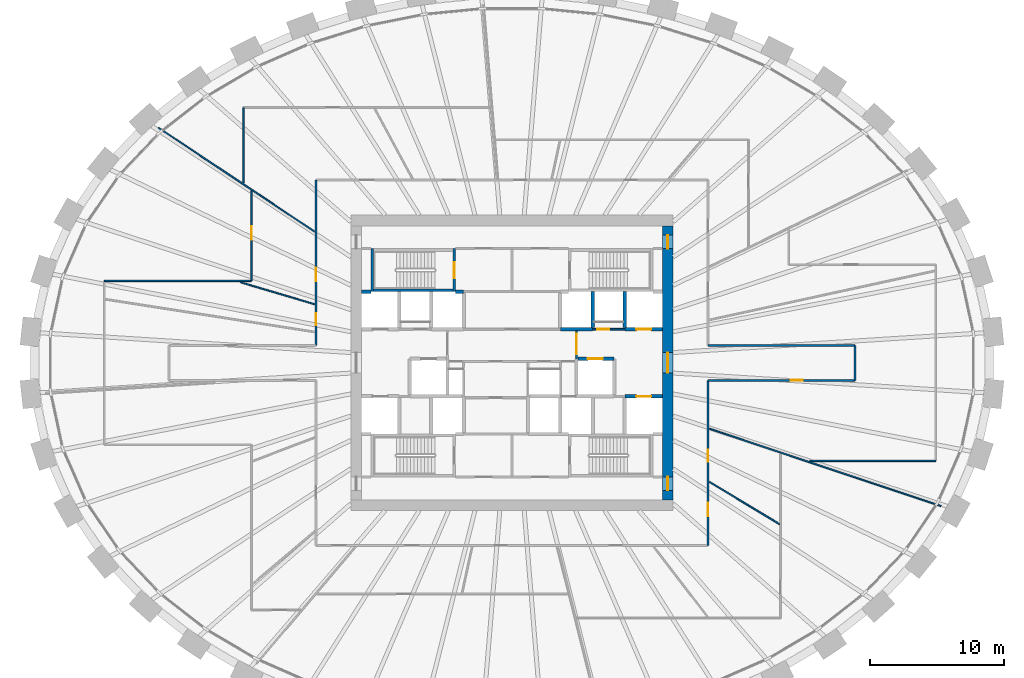
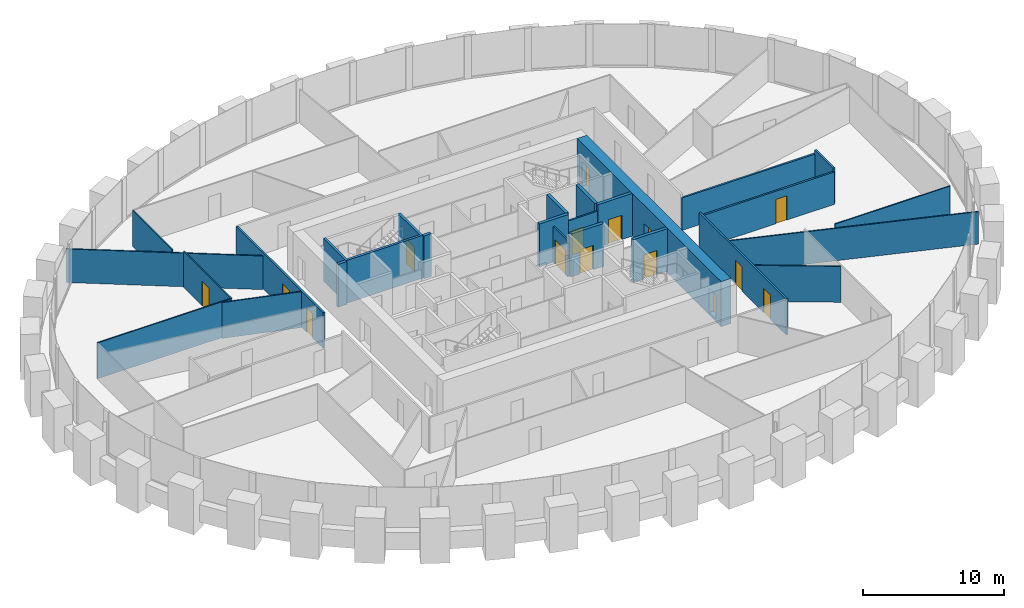
# One storey, part 8 of 11: 27 walls, 15 doors, 15 openings.
"""IFC4 building model written with IfcOpenShell, lengths in metres."""

import ifcopenshell
import ifcopenshell.guid

model = None  # the IFC model being written
_history = None  # IfcOwnerHistory: only IFC2X3 demands one
_inside = {}  # id of a spatial element -> (the spatial element, [elements in it])
_under = {}  # id of a project, library or spatial element -> (it, [spatial elements below it])
_declared = {}  # id of a project -> (the project, [libraries it declares])
_typed = {}  # id of a type object -> (the type object, [elements of that type])
_made_of = {}  # id of a material, layer set ... -> (it, [elements and type objects made of it])


def new_model(schema):
    """Start an empty IFC model of exactly this schema.

    Asked for "IFC4X3", IfcOpenShell would pick the latest addendum, in which some entities
    have other attributes; the version numbers below select the first issue.
    IFC2X3 requires an IfcOwnerHistory on every rooted entity: one is made here for all.
    """
    global model, _history
    if schema == "IFC4X3":
        model = ifcopenshell.file(schema_version=(4, 3, 0, 0))
    else:
        model = ifcopenshell.file(schema=schema)
    _inside.clear()
    _under.clear()
    _declared.clear()
    _typed.clear()
    _made_of.clear()
    _history = None
    if model.schema == "IFC2X3":
        org = make("IfcOrganization", Name="unknown")
        user = make(
            "IfcPersonAndOrganization",
            ThePerson=make("IfcPerson", FamilyName="unknown"),
            TheOrganization=org,
        )
        app = make(
            "IfcApplication",
            ApplicationDeveloper=org,
            Version="unknown",
            ApplicationFullName="unknown",
            ApplicationIdentifier="unknown",
        )
        _history = make(
            "IfcOwnerHistory",
            OwningUser=user,
            OwningApplication=app,
            ChangeAction="ADDED",
            CreationDate=0,
        )
    return model


def make(cls, **values):
    """One entity of the class cls with the attributes given. An attribute that is None is left unset."""
    return model.create_entity(
        cls, **{name: value for name, value in values.items() if value is not None}
    )


def rooted(cls, **values):
    """An entity with a GlobalId (a new one), such as an element, a storey or a relation."""
    return make(cls, GlobalId=ifcopenshell.guid.new(), OwnerHistory=_history, **values)


def si_unit(unit_type, name, prefix=None):
    """IfcSIUnit, for example si_unit("LENGTHUNIT", "METRE", prefix="MILLI")."""
    return make("IfcSIUnit", UnitType=unit_type, Prefix=prefix, Name=name)


def assignment(units):
    """IfcUnitAssignment: the units of a project."""
    return None if units is None else make("IfcUnitAssignment", Units=units)


def point(xyz):
    """IfcCartesianPoint."""
    return None if xyz is None else make("IfcCartesianPoint", Coordinates=xyz)


def direction(xyz):
    """IfcDirection."""
    return None if xyz is None else make("IfcDirection", DirectionRatios=xyz)


def frame(location, z_axis=None, x_axis=None):
    """IfcAxis2Placement3D, a coordinate frame: its origin and axes. An axis left out is left unset."""
    return make(
        "IfcAxis2Placement3D",
        Location=point(location),
        Axis=direction(z_axis),
        RefDirection=direction(x_axis),
    )


def frame_2d(location, x_axis=None):
    """IfcAxis2Placement2D, a coordinate frame in the plane: its origin and x axis."""
    return make(
        "IfcAxis2Placement2D", Location=point(location), RefDirection=direction(x_axis)
    )


def origin():
    """The frame at (0, 0, 0) with its axes left unset."""
    return frame((0.0, 0.0, 0.0))


def place(relative_to, where):
    """IfcLocalPlacement: puts the frame where relative to a parent placement (None: the world)."""
    return make(
        "IfcLocalPlacement", PlacementRelTo=relative_to, RelativePlacement=where
    )


def context(
    kind, dimensions, precision=None, world=None, true_north=None, identifier=None
):
    """IfcGeometricRepresentationContext, for example the 3D "Model" context."""
    return make(
        "IfcGeometricRepresentationContext",
        ContextIdentifier=identifier,
        ContextType=kind,
        CoordinateSpaceDimension=dimensions,
        Precision=precision,
        WorldCoordinateSystem=world,
        TrueNorth=true_north,
    )


def subcontext(parent, identifier, kind, view, scale=None):
    """IfcGeometricRepresentationSubContext, for example "Body" below "Model"."""
    return make(
        "IfcGeometricRepresentationSubContext",
        ContextIdentifier=identifier,
        ContextType=kind,
        ParentContext=parent,
        TargetScale=scale,
        TargetView=view,
    )


def project(units=None, contexts=None):
    """IfcProject with its units and contexts."""
    return rooted(
        "IfcProject",
        Name="project",
        RepresentationContexts=contexts,
        UnitsInContext=assignment(units),
    )


def spatial(cls, under=None, at=None, **own):
    """A site, building, storey or space (cls), placed at a placement, below another one or the project."""
    s = rooted(cls, ObjectPlacement=at, **own)
    if under is not None:
        _under.setdefault(under.id(), (under, []))[1].append(s)
    return s


def profile(cls, at=None, kind="AREA", **sizes):
    """A parametric profile (cls). Its sizes go by their IFC names, for example OverallWidth=200.0."""
    return make(cls, ProfileType=kind, Position=at, **sizes)


def rectangle(**sizes):
    """IfcRectangleProfileDef."""
    return profile("IfcRectangleProfileDef", **sizes)


def extrude(swept, where, along, depth):
    """IfcExtrudedAreaSolid: the profile swept, set in the frame where, extruded along a direction by depth."""
    return make(
        "IfcExtrudedAreaSolid",
        SweptArea=swept,
        Position=where,
        ExtrudedDirection=direction(along),
        Depth=depth,
    )


def shape(context_of_items, identifier, shape_type, items):
    """IfcShapeRepresentation: the items that make up one representation, for example the "Body"."""
    return make(
        "IfcShapeRepresentation",
        ContextOfItems=context_of_items,
        RepresentationIdentifier=identifier,
        RepresentationType=shape_type,
        Items=items,
    )


def source(mapping_origin, context_of_items, identifier, shape_type, items):
    """IfcRepresentationMap: a shape defined once, which mapped items show again and again."""
    return make(
        "IfcRepresentationMap",
        MappingOrigin=mapping_origin,
        MappedRepresentation=shape(context_of_items, identifier, shape_type, items),
    )


def transform(
    local_origin,
    x_axis=None,
    y_axis=None,
    z_axis=None,
    scale=None,
    scale2=None,
    scale3=None,
    uniform=True,
):
    """IfcCartesianTransformationOperator3D, or its non-uniform kind. x_axis, y_axis, z_axis: its Axis1, 2, 3."""
    if uniform:
        return make(
            "IfcCartesianTransformationOperator3D",
            Axis1=direction(x_axis),
            Axis2=direction(y_axis),
            LocalOrigin=point(local_origin),
            Scale=scale,
            Axis3=direction(z_axis),
        )
    return make(
        "IfcCartesianTransformationOperator3DnonUniform",
        Axis1=direction(x_axis),
        Axis2=direction(y_axis),
        LocalOrigin=point(local_origin),
        Scale=scale,
        Axis3=direction(z_axis),
        Scale2=scale2,
        Scale3=scale3,
    )


def mapped(mapping_source, mapping_target):
    """IfcMappedItem: shows the shape of a source again, moved by a transform."""
    return make(
        "IfcMappedItem", MappingSource=mapping_source, MappingTarget=mapping_target
    )


def material(Name=None, Category=None):
    """IfcMaterial."""
    return make("IfcMaterial", Name=Name, Category=Category)


def layer(
    of_material, thickness, ventilated=None, Name=None, Category=None, Priority=None
):
    """IfcMaterialLayer: one layer of a wall or slab, of a material (None: an air gap)."""
    return make(
        "IfcMaterialLayer",
        Material=of_material,
        LayerThickness=thickness,
        IsVentilated=ventilated,
        Name=Name,
        Category=Category,
        Priority=Priority,
    )


def layer_set(layers, Name=None):
    """IfcMaterialLayerSet."""
    return make("IfcMaterialLayerSet", MaterialLayers=layers, LayerSetName=Name)


def made_of(thing, what):
    """Note that an element or type object is made of a material, layer set ...; save() writes the relation."""
    if what is not None:
        _made_of.setdefault(what.id(), (what, []))[1].append(thing)
    return thing


def type_object(cls, material=None, **own):
    """A type object (cls), such as IfcWallType, which elements share."""
    return made_of(rooted(cls, **own), material)


def element(
    cls,
    number,
    at=None,
    inside=None,
    cuts=None,
    type_object=None,
    material=None,
    context=None,
    identifier="Body",
    shape_type=None,
    held_by="IfcProductDefinitionShape",
    body=None,
    shapes=None,
    **own,
):
    """One element of the class cls, such as IfcWall. Its Tag is "e" and its number.

    at: its placement. inside: the storey or other place that contains it. cuts: it is an
    opening in that element (IfcRelVoidsElement). A single representation is given by context,
    identifier, shape_type and body (its items); several are given by shapes. held_by: the class
    of the entity that holds the representations. save() writes the other relations.
    """
    e = rooted(cls, Tag="e%d" % number, ObjectPlacement=at, **own)
    if body is not None:
        shapes = [shape(context, identifier, shape_type, body)]
    if shapes is not None:
        e.Representation = make(held_by, Representations=shapes)
    if inside is not None:
        _inside.setdefault(inside.id(), (inside, []))[1].append(e)
    if cuts is not None:
        rooted(
            "IfcRelVoidsElement", RelatingBuildingElement=cuts, RelatedOpeningElement=e
        )
    if type_object is not None:
        _typed.setdefault(type_object.id(), (type_object, []))[1].append(e)
    return made_of(e, material)


def fill(opening, filler):
    """IfcRelFillsElement: the door or window that sits in an opening."""
    return rooted(
        "IfcRelFillsElement",
        RelatingOpeningElement=opening,
        RelatedBuildingElement=filler,
    )


def aggregate(whole, parts):
    """IfcRelAggregates: a whole, such as a stair, and the parts it consists of."""
    return rooted("IfcRelAggregates", RelatingObject=whole, RelatedObjects=parts)


def save(model, path):
    """Write the relations noted so far, then the file.

    IfcRelAggregates (storeys below a building ...), IfcRelContainedInSpatialStructure (elements
    in a storey), IfcRelDefinesByType, IfcRelAssociatesMaterial and IfcRelDeclares: one each for
    every whole, place, type object, material and project.
    """
    for whole, parts in _under.values():
        aggregate(whole, parts)
    for where, things in _inside.values():
        rooted(
            "IfcRelContainedInSpatialStructure",
            RelatedElements=things,
            RelatingStructure=where,
        )
    for kind, things in _typed.values():
        rooted("IfcRelDefinesByType", RelatedObjects=things, RelatingType=kind)
    for what, things in _made_of.values():
        rooted("IfcRelAssociatesMaterial", RelatedObjects=things, RelatingMaterial=what)
    for by, libraries in _declared.values():
        rooted("IfcRelDeclares", RelatingContext=by, RelatedDefinitions=libraries)
    model.write(path)


model = new_model("IFC4")

# Units and contexts
model_context = context("Model", 3, precision=1e-05, world=origin(), true_north=direction((0.0, 1.0)))
body_context = subcontext(model_context, "Body", "Model", "MODEL_VIEW")
ifc_project = project(units=[si_unit("LENGTHUNIT", "METRE"), si_unit("AREAUNIT", "SQUARE_METRE"), si_unit("VOLUMEUNIT", "CUBIC_METRE"), si_unit("PLANEANGLEUNIT", "RADIAN"), si_unit("MASSUNIT", "GRAM", prefix="KILO")], contexts=[model_context])

# Site, building, storey
site_placement = place(None, origin())
site = spatial("IfcSite", under=ifc_project, at=site_placement, CompositionType="ELEMENT")
building_placement = place(site_placement, origin())
building = spatial("IfcBuilding", under=site, at=building_placement, Name="Embergate Tower", CompositionType="ELEMENT")
storey_placement = place(building_placement, frame((0.0, 0.0, 207.300048828125)))
storey = spatial("IfcBuildingStorey", under=building, at=storey_placement, Name="L47", CompositionType="ELEMENT", Elevation=207.300048828125)

# Wall, openings, doors
ifc_material_1 = material(Name="Concrete C70", Category="concrete")
ifc_layer_1 = layer(ifc_material_1, 0.800048828125)
ifc_layer_set_1 = layer_set([ifc_layer_1], Name="Concrete C70")
wall_type_1 = type_object("IfcWallType", Name="Core outer wall C70 800", PredefinedType="SHEAR", material=ifc_layer_set_1)
shared_shape_1 = source(origin(), body_context, "Body", "SweptSolid", [
    extrude(rectangle(XDim=20.39990234375, YDim=0.800048828125, at=frame_2d((10.199951171875, 0.0))), origin(), (0.0, 0.0, 1.0), 3.89990234375),
])
wall_1_placement = place(storey_placement, frame((11.60009765625, -10.199951171875, -0.199951171875), z_axis=(0.0, 0.0, 1.0), x_axis=(0.0, 1.0, 0.0)))
wall_1 = element("IfcWall", 1, at=wall_1_placement, inside=storey, type_object=wall_type_1, Name="CW-L47-E", PredefinedType="SHEAR", context=body_context, shape_type="MappedRepresentation", body=[
    mapped(shared_shape_1, transform((0.0, 0.0, 0.0))),
])
shared_shape_2 = source(origin(), body_context, "Body", "SweptSolid", [
    extrude(rectangle(XDim=1.0, YDim=2.10009765625, at=frame_2d((0.5, 1.050048828125))), frame((0.0, 0.409912109375, 0.0), z_axis=(0.0, -1.0, 0.0), x_axis=(1.0, 0.0, 0.0)), (0.0, 0.0, 1.0), 0.820068359375),
])
opening_1_placement = place(wall_1_placement, frame((18.699951171875, 0.0, 0.199951171875)))
opening_1 = element("IfcOpeningElement", 2, at=opening_1_placement, cuts=wall_1, Name="Opening IF-1d", PredefinedType="OPENING", context=body_context, shape_type="MappedRepresentation", body=[
    mapped(shared_shape_2, transform((0.0, 0.0, 0.0))),
])
opening_2_placement = place(wall_1_placement, frame((0.699951171875, 0.0, 0.199951171875)))
opening_2 = element("IfcOpeningElement", 3, at=opening_2_placement, cuts=wall_1, Name="Opening IF-1d", PredefinedType="OPENING", context=body_context, shape_type="MappedRepresentation", body=[
    mapped(shared_shape_2, transform((0.0, 0.0, 0.0))),
])
shared_shape_3 = source(origin(), body_context, "Body", "SweptSolid", [
    extrude(rectangle(XDim=1.5, YDim=2.10009765625, at=frame_2d((0.75, 1.050048828125))), frame((0.0, 0.409912109375, 0.0), z_axis=(0.0, -1.0, 0.0), x_axis=(1.0, 0.0, 0.0)), (0.0, 0.0, 1.0), 0.820068359375),
])
opening_3_placement = place(wall_1_placement, frame((9.449951171875, 0.0, 0.199951171875)))
opening_3 = element("IfcOpeningElement", 4, at=opening_3_placement, cuts=wall_1, Name="Opening IF-3", PredefinedType="OPENING", context=body_context, shape_type="MappedRepresentation", body=[
    mapped(shared_shape_3, transform((0.0, 0.0, 0.0))),
])
ifc_material_2 = material(Name="Lobby fire door pair 1500")
door_type_1 = type_object("IfcDoorType", Name="Lobby fire door pair 1500", OperationType="DOUBLE_DOOR_SINGLE_SWING", PredefinedType="DOOR", material=ifc_material_2)
shared_shape_4 = source(origin(), body_context, "Body", "SweptSolid", [
    extrude(rectangle(XDim=1.5, YDim=2.10009765625, at=frame_2d((0.75, 1.050048828125))), frame((0.0, 0.02490234375, 0.0), z_axis=(0.0, -1.0, 0.0), x_axis=(1.0, 0.0, 0.0)), (0.0, 0.0, 1.0), 0.050048828125),
])
door_1_placement = place(opening_3_placement, origin())
door_1 = element("IfcDoor", 5, at=door_1_placement, inside=storey, type_object=door_type_1, Name="IF-3 door", OperationType="DOUBLE_DOOR_SINGLE_SWING", OverallHeight=2.10009765625, OverallWidth=1.5, PredefinedType="DOOR", context=body_context, shape_type="MappedRepresentation", body=[
    mapped(shared_shape_4, transform((0.0, 0.0, 0.0))),
])
fill(opening_3, door_1)
ifc_material_3 = material(Name="Escape fire door 1000")
door_type_2 = type_object("IfcDoorType", Name="Escape fire door 1000", OperationType="SINGLE_SWING_LEFT", PredefinedType="DOOR", material=ifc_material_3)
shared_shape_5 = source(origin(), body_context, "Body", "SweptSolid", [
    extrude(rectangle(XDim=1.0, YDim=2.10009765625, at=frame_2d((0.5, 1.050048828125))), frame((0.0, 0.02490234375, 0.0), z_axis=(0.0, -1.0, 0.0), x_axis=(1.0, 0.0, 0.0)), (0.0, 0.0, 1.0), 0.050048828125),
])
door_2_placement = place(opening_1_placement, origin())
door_2 = element("IfcDoor", 6, at=door_2_placement, inside=storey, type_object=door_type_2, Name="IF-1 door", OperationType="SINGLE_SWING_LEFT", OverallHeight=2.10009765625, OverallWidth=1.0, PredefinedType="DOOR", context=body_context, shape_type="MappedRepresentation", body=[
    mapped(shared_shape_5, transform((0.0, 0.0, 0.0))),
])
fill(opening_1, door_2)
door_3_placement = place(opening_2_placement, origin())
door_3 = element("IfcDoor", 7, at=door_3_placement, inside=storey, type_object=door_type_2, Name="IF-1 door", OperationType="SINGLE_SWING_LEFT", OverallHeight=2.10009765625, OverallWidth=1.0, PredefinedType="DOOR", context=body_context, shape_type="MappedRepresentation", body=[
    mapped(shared_shape_5, transform((0.0, 0.0, 0.0))),
])
fill(opening_2, door_3)

# Walls
ifc_material_4 = material(Name="Concrete C50", Category="concrete")
ifc_layer_2 = layer(ifc_material_4, 0.25)
ifc_layer_set_2 = layer_set([ifc_layer_2], Name="Concrete C50")
wall_type_2 = type_object("IfcWallType", Name="Hoistway wall reinforced concrete 250", PredefinedType="SHEAR", material=ifc_layer_set_2)
shared_shape_6 = source(origin(), body_context, "Body", "SweptSolid", [
    extrude(rectangle(XDim=2.675048828125, YDim=0.25, at=frame_2d((1.33740234375, 0.0))), origin(), (0.0, 0.0, 1.0), 3.699951171875),
])
for number, where, z_axis, x_axis, name in (
    (8, (6.0, 2.625, 0.0), (0.0, 0.0, 1.0), (0.0, 1.0, 0.0), "HW-1 wall"),
    (9, (8.39990234375, 2.625, 0.0), (0.0, 0.0, 1.0), (0.0, 1.0, 0.0), "HW-1 wall"),
):
    element("IfcWall", number, at=place(storey_placement, frame(where, z_axis=z_axis, x_axis=x_axis)), inside=storey, type_object=wall_type_2, Name=name, PredefinedType="SHEAR", context=body_context, shape_type="MappedRepresentation", body=[
        mapped(shared_shape_6, transform((0.0, 0.0, 0.0))),
    ])

# Wall, opening, door
wall_2_placement = place(storey_placement, frame((7.60009765625, 0.300048828125, 0.0), z_axis=(0.0, 0.0, 1.0), x_axis=(-1.0, 0.0, 0.0)))
wall_2 = element("IfcWall", 10, at=wall_2_placement, inside=storey, type_object=wall_type_2, Name="HW-1 wall", PredefinedType="SHEAR", context=body_context, shape_type="MappedRepresentation", body=[
    mapped(shared_shape_6, transform((0.0, 0.0, 0.0))),
])
shared_shape_7 = source(origin(), body_context, "Body", "SweptSolid", [
    extrude(rectangle(XDim=1.10009765625, YDim=2.10009765625, at=frame_2d((0.550048828125, 1.050048828125))), frame((0.0, 0.135009765625, 0.0), z_axis=(0.0, -1.0, 0.0), x_axis=(1.0, 0.0, 0.0)), (0.0, 0.0, 1.0), 0.27001953125),
])
opening_4_placement = place(wall_2_placement, frame((0.85009765625, 0.0, 0.0)))
opening_4 = element("IfcOpeningElement", 11, at=opening_4_placement, cuts=wall_2, Name="Opening LD", PredefinedType="OPENING", context=body_context, shape_type="MappedRepresentation", body=[
    mapped(shared_shape_7, transform((0.0, 0.0, 0.0))),
])
ifc_material_5 = material(Name="Landing door sliding 1100")
door_type_3 = type_object("IfcDoorType", Name="Landing door sliding 1100", OperationType="SLIDING_TO_LEFT", PredefinedType="DOOR", material=ifc_material_5)
shared_shape_8 = source(origin(), body_context, "Body", "SweptSolid", [
    extrude(rectangle(XDim=1.10009765625, YDim=2.10009765625, at=frame_2d((0.550048828125, 1.050048828125))), frame((0.0, 0.02490234375, 0.0), z_axis=(0.0, -1.0, 0.0), x_axis=(1.0, 0.0, 0.0)), (0.0, 0.0, 1.0), 0.050048828125),
])
door_4_placement = place(opening_4_placement, origin())
door_4 = element("IfcDoor", 12, at=door_4_placement, inside=storey, type_object=door_type_3, Name="LD door", OperationType="SLIDING_TO_RIGHT", OverallHeight=2.10009765625, OverallWidth=1.10009765625, PredefinedType="DOOR", context=body_context, shape_type="MappedRepresentation", body=[
    mapped(shared_shape_8, transform((0.0, 0.0, 0.0))),
])
fill(opening_4, door_4)

# Wall
ifc_layer_3 = layer(ifc_material_4, 0.199951171875)
ifc_layer_set_3 = layer_set([ifc_layer_3], Name="Concrete C50")
wall_type_3 = type_object("IfcWallType", Name="Stair enclosure wall reinforced concrete 250", PredefinedType="SHEAR", material=ifc_layer_set_3)
shared_shape_9 = source(origin(), body_context, "Body", "SweptSolid", [
    extrude(rectangle(XDim=6.300048828125, YDim=0.199951171875, at=frame_2d((3.14990234375, 0.0))), origin(), (0.0, 0.0, 1.0), 3.699951171875),
])
wall_3_placement = place(storey_placement, frame((-4.199951171875, 5.39990234375, 0.0), z_axis=(0.0, 0.0, 1.0), x_axis=(-1.0, 0.0, 0.0)))
element("IfcWall", 13, at=wall_3_placement, inside=storey, type_object=wall_type_3, Name="SE-1 wall", PredefinedType="SHEAR", context=body_context, shape_type="MappedRepresentation", body=[
    mapped(shared_shape_9, transform((0.0, 0.0, 0.0))),
])

# Wall, opening, door
shared_shape_10 = source(origin(), body_context, "Body", "SweptSolid", [
    extrude(rectangle(XDim=3.199951171875, YDim=0.199951171875, at=frame_2d((1.60009765625, 0.0))), origin(), (0.0, 0.0, 1.0), 3.699951171875),
])
wall_4_placement = place(storey_placement, frame((-4.300048828125, 5.300048828125, 0.0), z_axis=(0.0, 0.0, 1.0), x_axis=(0.0, 1.0, 0.0)))
wall_4 = element("IfcWall", 14, at=wall_4_placement, inside=storey, type_object=wall_type_3, Name="SE-1 wall", PredefinedType="SHEAR", context=body_context, shape_type="MappedRepresentation", body=[
    mapped(shared_shape_10, transform((0.0, 0.0, 0.0))),
])
shared_shape_11 = source(origin(), body_context, "Body", "SweptSolid", [
    extrude(rectangle(XDim=1.199951171875, YDim=2.10009765625, at=frame_2d((0.60009765625, 1.050048828125))), frame((0.0, 0.10986328125, 0.0), z_axis=(0.0, -1.0, 0.0), x_axis=(1.0, 0.0, 0.0)), (0.0, 0.0, 1.0), 0.219970703125),
])
opening_5_placement = place(wall_4_placement, frame((1.0, 0.0, 0.0)))
opening_5 = element("IfcOpeningElement", 15, at=opening_5_placement, cuts=wall_4, Name="Opening IF-2", PredefinedType="OPENING", context=body_context, shape_type="MappedRepresentation", body=[
    mapped(shared_shape_11, transform((0.0, 0.0, 0.0))),
])
ifc_material_6 = material(Name="Stair enclosure door 1200")
door_type_4 = type_object("IfcDoorType", Name="Stair enclosure door 1200", OperationType="SINGLE_SWING_LEFT", PredefinedType="DOOR", material=ifc_material_6)
shared_shape_12 = source(origin(), body_context, "Body", "SweptSolid", [
    extrude(rectangle(XDim=1.199951171875, YDim=2.10009765625, at=frame_2d((0.60009765625, 1.050048828125))), frame((0.0, 0.02490234375, 0.0), z_axis=(0.0, -1.0, 0.0), x_axis=(1.0, 0.0, 0.0)), (0.0, 0.0, 1.0), 0.050048828125),
])
door_5_placement = place(opening_5_placement, origin())
door_5 = element("IfcDoor", 16, at=door_5_placement, inside=storey, type_object=door_type_4, Name="IF-2 door", OperationType="SINGLE_SWING_RIGHT", OverallHeight=2.10009765625, OverallWidth=1.199951171875, PredefinedType="DOOR", context=body_context, shape_type="MappedRepresentation", body=[
    mapped(shared_shape_12, transform((0.0, 0.0, 0.0))),
])
fill(opening_5, door_5)

# Wall
shared_shape_13 = source(origin(), body_context, "Body", "SweptSolid", [
    extrude(rectangle(XDim=2.39990234375, YDim=0.25, at=frame_2d((1.199951171875, 0.0))), origin(), (0.0, 0.0, 1.0), 3.699951171875),
])
wall_5_placement = place(storey_placement, frame((3.60009765625, 2.5, 0.0), z_axis=(0.0, 0.0, 1.0), x_axis=(1.0, 0.0, 0.0)))
element("IfcWall", 17, at=wall_5_placement, inside=storey, type_object=wall_type_2, Name="HW-1 wall", PredefinedType="SHEAR", context=body_context, shape_type="MappedRepresentation", body=[
    mapped(shared_shape_13, transform((0.0, 0.0, 0.0))),
])

# Wall, opening, door
ifc_material_7 = material(Name="Core partition blockwork 120")
ifc_layer_4 = layer(ifc_material_7, 0.1201171875)
ifc_layer_set_4 = layer_set([ifc_layer_4], Name="Core partition blockwork 120")
wall_type_4 = type_object("IfcWallType", Name="Core partition blockwork 120", PredefinedType="PARTITIONING", material=ifc_layer_set_4)
shared_shape_14 = source(origin(), body_context, "Body", "SweptSolid", [
    extrude(rectangle(XDim=2.074951171875, YDim=0.1201171875, at=frame_2d((1.03759765625, 0.0))), origin(), (0.0, 0.0, 1.0), 3.099853515625),
])
wall_6_placement = place(storey_placement, frame((4.800048828125, 0.300048828125, 0.0), z_axis=(0.0, 0.0, 1.0), x_axis=(0.0, 1.0, 0.0)))
wall_6 = element("IfcWall", 18, at=wall_6_placement, inside=storey, type_object=wall_type_4, Name="IP-3 wall", PredefinedType="PARTITIONING", context=body_context, shape_type="MappedRepresentation", body=[
    mapped(shared_shape_14, transform((0.0, 0.0, 0.0))),
])
shared_shape_15 = source(origin(), body_context, "Body", "SweptSolid", [
    extrude(rectangle(XDim=1.5, YDim=2.10009765625, at=frame_2d((0.75, 1.050048828125))), frame((0.0, 0.070068359375, 0.0), z_axis=(0.0, -1.0, 0.0), x_axis=(1.0, 0.0, 0.0)), (0.0, 0.0, 1.0), 0.14013671875),
])
opening_6_placement = place(wall_6_placement, frame((0.35009765625, 0.0, 0.0)))
opening_6 = element("IfcOpeningElement", 19, at=opening_6_placement, cuts=wall_6, Name="Opening IF-3", PredefinedType="OPENING", context=body_context, shape_type="MappedRepresentation", body=[
    mapped(shared_shape_15, transform((0.0, 0.0, 0.0))),
])
door_6_placement = place(opening_6_placement, origin())
door_6 = element("IfcDoor", 20, at=door_6_placement, inside=storey, type_object=door_type_1, Name="IF-3 door", OperationType="DOUBLE_DOOR_SINGLE_SWING", OverallHeight=2.10009765625, OverallWidth=1.5, PredefinedType="DOOR", context=body_context, shape_type="MappedRepresentation", body=[
    mapped(shared_shape_4, transform((0.0, 0.0, 0.0))),
])
fill(opening_6, door_6)

# Wall
ifc_material_8 = material(Name="Corridor wall dry-lined 150")
ifc_layer_5 = layer(ifc_material_8, 0.14990234375)
ifc_layer_set_5 = layer_set([ifc_layer_5], Name="Corridor wall dry-lined 150")
wall_type_5 = type_object("IfcWallType", Name="Corridor wall dry-lined 150", PredefinedType="PARTITIONING", material=ifc_layer_set_5)
shared_shape_16 = source(origin(), body_context, "Body", "SweptSolid", [
    extrude(rectangle(XDim=10.949951171875, YDim=0.14990234375, at=frame_2d((5.47509765625, 0.0))), origin(), (0.0, 0.0, 1.0), 2.800048828125),
])
wall_7_placement = place(storey_placement, frame((14.60009765625, 1.300048828125, 0.0), z_axis=(0.0, 0.0, 1.0), x_axis=(1.0, 0.0, 0.0)))
element("IfcWall", 21, at=wall_7_placement, inside=storey, type_object=wall_type_5, Name="IP-2 wall", PredefinedType="PARTITIONING", context=body_context, shape_type="MappedRepresentation", body=[
    mapped(shared_shape_16, transform((0.0, 0.0, 0.0))),
])

# Wall, opening, door
wall_8_placement = place(storey_placement, frame((25.550048828125, -1.300048828125, 0.0), z_axis=(0.0, 0.0, 1.0), x_axis=(-1.0, 0.0, 0.0)))
wall_8 = element("IfcWall", 22, at=wall_8_placement, inside=storey, type_object=wall_type_5, Name="IP-2 wall", PredefinedType="PARTITIONING", context=body_context, shape_type="MappedRepresentation", body=[
    mapped(shared_shape_16, transform((0.0, 0.0, 0.0))),
])
shared_shape_17 = source(origin(), body_context, "Body", "SweptSolid", [
    extrude(rectangle(XDim=0.89990234375, YDim=2.10009765625, at=frame_2d((0.449951171875, 1.050048828125))), frame((0.0, 0.0849609375, 0.0), z_axis=(0.0, -1.0, 0.0), x_axis=(1.0, 0.0, 0.0)), (0.0, 0.0, 1.0), 0.169921875),
])
opening_7_placement = place(wall_8_placement, frame((3.89111328125, 0.0, 0.0)))
opening_7 = element("IfcOpeningElement", 23, at=opening_7_placement, cuts=wall_8, Name="Opening IF-1c", PredefinedType="OPENING", context=body_context, shape_type="MappedRepresentation", body=[
    mapped(shared_shape_17, transform((0.0, 0.0, 0.0))),
])
ifc_material_9 = material(Name="Escape fire door 900")
door_type_5 = type_object("IfcDoorType", Name="Escape fire door 900", OperationType="SINGLE_SWING_LEFT", PredefinedType="DOOR", material=ifc_material_9)
shared_shape_18 = source(origin(), body_context, "Body", "SweptSolid", [
    extrude(rectangle(XDim=0.89990234375, YDim=2.10009765625, at=frame_2d((0.449951171875, 1.050048828125))), frame((0.0, 0.02490234375, 0.0), z_axis=(0.0, -1.0, 0.0), x_axis=(1.0, 0.0, 0.0)), (0.0, 0.0, 1.0), 0.050048828125),
])
door_7_placement = place(opening_7_placement, origin())
door_7 = element("IfcDoor", 24, at=door_7_placement, inside=storey, type_object=door_type_5, Name="IF-1 door", OperationType="SINGLE_SWING_RIGHT", OverallHeight=2.10009765625, OverallWidth=0.89990234375, PredefinedType="DOOR", context=body_context, shape_type="MappedRepresentation", body=[
    mapped(shared_shape_18, transform((0.0, 0.0, 0.0))),
])
fill(opening_7, door_7)

shared_shape_19 = source(origin(), body_context, "Body", "SweptSolid", [
    extrude(rectangle(XDim=2.800048828125, YDim=0.25, at=frame_2d((1.39990234375, 0.0))), origin(), (0.0, 0.0, 1.0), 3.699951171875),
])
wall_9_placement = place(storey_placement, frame((8.39990234375, 2.5, 0.0), z_axis=(0.0, 0.0, 1.0), x_axis=(1.0, 0.0, 0.0)))
wall_9 = element("IfcWall", 25, at=wall_9_placement, inside=storey, type_object=wall_type_2, Name="HW-1 wall", PredefinedType="SHEAR", context=body_context, shape_type="MappedRepresentation", body=[
    mapped(shared_shape_19, transform((0.0, 0.0, 0.0))),
])
opening_8_placement = place(wall_9_placement, frame((0.85009765625, 0.0, 0.0)))
opening_8 = element("IfcOpeningElement", 26, at=opening_8_placement, cuts=wall_9, Name="Opening LD", PredefinedType="OPENING", context=body_context, shape_type="MappedRepresentation", body=[
    mapped(shared_shape_7, transform((0.0, 0.0, 0.0))),
])
door_8_placement = place(opening_8_placement, origin())
door_8 = element("IfcDoor", 27, at=door_8_placement, inside=storey, type_object=door_type_3, Name="LD door", OperationType="SLIDING_TO_LEFT", OverallHeight=2.10009765625, OverallWidth=1.10009765625, PredefinedType="DOOR", context=body_context, shape_type="MappedRepresentation", body=[
    mapped(shared_shape_8, transform((0.0, 0.0, 0.0))),
])
fill(opening_8, door_8)

wall_10_placement = place(storey_placement, frame((11.199951171875, -2.5, 0.0), z_axis=(0.0, 0.0, 1.0), x_axis=(-1.0, 0.0, 0.0)))
wall_10 = element("IfcWall", 28, at=wall_10_placement, inside=storey, type_object=wall_type_2, Name="HW-1 wall", PredefinedType="SHEAR", context=body_context, shape_type="MappedRepresentation", body=[
    mapped(shared_shape_19, transform((0.0, 0.0, 0.0))),
])
opening_9_placement = place(wall_10_placement, frame((0.85009765625, 0.0, 0.0)))
opening_9 = element("IfcOpeningElement", 29, at=opening_9_placement, cuts=wall_10, Name="Opening LD", PredefinedType="OPENING", context=body_context, shape_type="MappedRepresentation", body=[
    mapped(shared_shape_7, transform((0.0, 0.0, 0.0))),
])
door_9_placement = place(opening_9_placement, origin())
door_9 = element("IfcDoor", 30, at=door_9_placement, inside=storey, type_object=door_type_3, Name="LD door", OperationType="SLIDING_TO_LEFT", OverallHeight=2.10009765625, OverallWidth=1.10009765625, PredefinedType="DOOR", context=body_context, shape_type="MappedRepresentation", body=[
    mapped(shared_shape_8, transform((0.0, 0.0, 0.0))),
])
fill(opening_9, door_9)

# Walls
shared_shape_20 = source(origin(), body_context, "Body", "SweptSolid", [
    extrude(rectangle(XDim=0.599853515625, YDim=0.25, at=frame_2d((0.2998046875, 0.0))), origin(), (0.0, 0.0, 1.0), 3.699951171875),
])
wall_11_placement = place(storey_placement, frame((-3.60009765625, 5.300048828125, 0.0), z_axis=(0.0, 0.0, 1.0), x_axis=(-1.0, 0.0, 0.0)))
element("IfcWall", 31, at=wall_11_placement, inside=storey, type_object=wall_type_2, Name="HW-1 wall", PredefinedType="SHEAR", context=body_context, shape_type="MappedRepresentation", body=[
    mapped(shared_shape_20, transform((0.0, 0.0, 0.0))),
])
shared_shape_21 = source(origin(), body_context, "Body", "SweptSolid", [
    extrude(rectangle(XDim=3.196044921875, YDim=0.199951171875, at=frame_2d((1.59814453125, 0.0))), origin(), (0.0, 0.0, 1.0), 3.699951171875),
])
wall_12_placement = place(storey_placement, frame((-10.39990234375, 8.498046875, 0.0), z_axis=(0.0, 0.0, 1.0), x_axis=(0.0, -1.0, 0.0)))
element("IfcWall", 32, at=wall_12_placement, inside=storey, type_object=wall_type_3, Name="SE-1 wall", PredefinedType="SHEAR", context=body_context, shape_type="MappedRepresentation", body=[
    mapped(shared_shape_21, transform((0.0, 0.0, 0.0))),
])
shared_shape_22 = source(origin(), body_context, "Body", "SweptSolid", [
    extrude(rectangle(XDim=0.697998046875, YDim=0.25, at=frame_2d((0.34912109375, 0.0))), origin(), (0.0, 0.0, 1.0), 3.699951171875),
])
wall_13_placement = place(storey_placement, frame((-10.501953125, 5.300048828125, 0.0), z_axis=(0.0, 0.0, 1.0), x_axis=(-1.0, 0.0, 0.0)))
element("IfcWall", 33, at=wall_13_placement, inside=storey, type_object=wall_type_2, Name="HW-1 wall", PredefinedType="SHEAR", context=body_context, shape_type="MappedRepresentation", body=[
    mapped(shared_shape_22, transform((0.0, 0.0, 0.0))),
])

# Wall, opening, door
shared_shape_23 = source(origin(), body_context, "Body", "SweptSolid", [
    extrude(rectangle(XDim=2.39990234375, YDim=0.1201171875, at=frame_2d((1.199951171875, 0.0))), origin(), (0.0, 0.0, 1.0), 3.099853515625),
])
wall_14_placement = place(storey_placement, frame((6.0, 2.5, 0.0), z_axis=(0.0, 0.0, 1.0), x_axis=(1.0, 0.0, 0.0)))
wall_14 = element("IfcWall", 34, at=wall_14_placement, inside=storey, type_object=wall_type_4, Name="IP-3 wall", PredefinedType="PARTITIONING", context=body_context, shape_type="MappedRepresentation", body=[
    mapped(shared_shape_23, transform((0.0, 0.0, 0.0))),
])
shared_shape_24 = source(origin(), body_context, "Body", "SweptSolid", [
    extrude(rectangle(XDim=0.89990234375, YDim=2.10009765625, at=frame_2d((0.449951171875, 1.050048828125))), frame((0.0, 0.070068359375, 0.0), z_axis=(0.0, -1.0, 0.0), x_axis=(1.0, 0.0, 0.0)), (0.0, 0.0, 1.0), 0.14013671875),
])
opening_10_placement = place(wall_14_placement, frame((0.35009765625, 0.0, 0.0)))
opening_10 = element("IfcOpeningElement", 35, at=opening_10_placement, cuts=wall_14, Name="Opening ID-1", PredefinedType="OPENING", context=body_context, shape_type="MappedRepresentation", body=[
    mapped(shared_shape_24, transform((0.0, 0.0, 0.0))),
])
ifc_material_10 = material(Name="Interior door 900")
door_type_6 = type_object("IfcDoorType", Name="Interior door 900", OperationType="SINGLE_SWING_LEFT", PredefinedType="DOOR", material=ifc_material_10)
door_10_placement = place(opening_10_placement, origin())
door_10 = element("IfcDoor", 36, at=door_10_placement, inside=storey, type_object=door_type_6, Name="ID-1 door", OperationType="SINGLE_SWING_RIGHT", OverallHeight=2.10009765625, OverallWidth=0.89990234375, PredefinedType="DOOR", context=body_context, shape_type="MappedRepresentation", body=[
    mapped(shared_shape_18, transform((0.0, 0.0, 0.0))),
])
fill(opening_10, door_10)

# Walls
ifc_material_11 = material(Name="Partition dry-lined 100")
ifc_layer_6 = layer(ifc_material_11, 0.10009765625)
ifc_layer_set_6 = layer_set([ifc_layer_6], Name="Partition dry-lined 100")
wall_type_6 = type_object("IfcWallType", Name="Partition dry-lined 100", PredefinedType="PARTITIONING", material=ifc_layer_set_6)
shared_shape_25 = source(origin(), body_context, "Body", "SweptSolid", [
    extrude(rectangle(XDim=10.9501953125, YDim=0.10009765625, at=frame_2d((5.47509765625, 0.0))), origin(), (0.0, 0.0, 1.0), 3.099853515625),
])
wall_15_placement = place(storey_placement, frame((-30.35009765625, 6.10009765625, 0.0), z_axis=(0.0, 0.0, 1.0), x_axis=(1.0, 0.0, 0.0)))
element("IfcWall", 37, at=wall_15_placement, inside=storey, type_object=wall_type_6, Name="IP-1 wall", PredefinedType="PARTITIONING", context=body_context, shape_type="MappedRepresentation", body=[
    mapped(shared_shape_25, transform((0.0, 0.0, 0.0))),
])
shared_shape_26 = source(origin(), body_context, "Body", "SweptSolid", [
    extrude(rectangle(XDim=18.179443359375, YDim=0.10009765625, at=frame_2d((9.08984375, 0.0))), origin(), (0.0, 0.0, 1.0), 2.800048828125),
])
wall_16_placement = place(storey_placement, frame((31.93408203125, -10.666015625, 0.0), z_axis=(0.0, 0.0, 1.0), x_axis=(-0.948496463159, 0.316787719735, 0.0)))
element("IfcWall", 38, at=wall_16_placement, inside=storey, type_object=wall_type_6, Name="IP-1 wall", PredefinedType="PARTITIONING", context=body_context, shape_type="MappedRepresentation", body=[
    mapped(shared_shape_26, transform((0.0, 0.0, 0.0))),
])
shared_shape_27 = source(origin(), body_context, "Body", "SweptSolid", [
    extrude(rectangle(XDim=13.9443359375, YDim=0.10009765625, at=frame_2d((6.97216796875, 0.0))), origin(), (0.0, 0.0, 1.0), 2.89990234375),
])
wall_17_placement = place(storey_placement, frame((-14.702880859375, 9.77490234375, 0.0), z_axis=(0.0, 0.0, 1.0), x_axis=(-0.832749965449, 0.553649252726, 0.0)))
element("IfcWall", 39, at=wall_17_placement, inside=storey, type_object=wall_type_6, Name="IP-1 wall", PredefinedType="PARTITIONING", context=body_context, shape_type="MappedRepresentation", body=[
    mapped(shared_shape_27, transform((0.0, 0.0, 0.0))),
])

# Wall, openings, doors
shared_shape_28 = source(origin(), body_context, "Body", "SweptSolid", [
    extrude(rectangle(XDim=12.300048828125, YDim=0.14990234375, at=frame_2d((6.14990234375, 0.0))), origin(), (0.0, 0.0, 1.0), 3.099853515625),
])
wall_18_placement = place(storey_placement, frame((14.60009765625, -1.300048828125, 0.0), z_axis=(0.0, 0.0, 1.0), x_axis=(0.0, -1.0, 0.0)))
wall_18 = element("IfcWall", 40, at=wall_18_placement, inside=storey, type_object=wall_type_5, Name="IP-2 wall", PredefinedType="PARTITIONING", context=body_context, shape_type="MappedRepresentation", body=[
    mapped(shared_shape_28, transform((0.0, 0.0, 0.0))),
])
shared_shape_29 = source(origin(), body_context, "Body", "SweptSolid", [
    extrude(rectangle(XDim=1.0, YDim=2.10009765625, at=frame_2d((0.5, 1.050048828125))), frame((0.0, 0.0849609375, 0.0), z_axis=(0.0, -1.0, 0.0), x_axis=(1.0, 0.0, 0.0)), (0.0, 0.0, 1.0), 0.169921875),
])
opening_11_placement = place(wall_18_placement, frame((9.116943359375, 0.0, 0.0)))
opening_11 = element("IfcOpeningElement", 41, at=opening_11_placement, cuts=wall_18, Name="Opening ID-2", PredefinedType="OPENING", context=body_context, shape_type="MappedRepresentation", body=[
    mapped(shared_shape_29, transform((0.0, 0.0, 0.0))),
])
opening_12_placement = place(wall_18_placement, frame((5.1650390625, 0.0, 0.0)))
opening_12 = element("IfcOpeningElement", 42, at=opening_12_placement, cuts=wall_18, Name="Opening IF-1c", PredefinedType="OPENING", context=body_context, shape_type="MappedRepresentation", body=[
    mapped(shared_shape_17, transform((0.0, 0.0, 0.0))),
])
door_11_placement = place(opening_12_placement, origin())
door_11 = element("IfcDoor", 43, at=door_11_placement, inside=storey, type_object=door_type_5, Name="IF-1 door", OperationType="SINGLE_SWING_LEFT", OverallHeight=2.10009765625, OverallWidth=0.89990234375, PredefinedType="DOOR", context=body_context, shape_type="MappedRepresentation", body=[
    mapped(shared_shape_18, transform((0.0, 0.0, 0.0))),
])
fill(opening_12, door_11)
ifc_material_12 = material(Name="Interior door 1000")
door_type_7 = type_object("IfcDoorType", Name="Interior door 1000", OperationType="SINGLE_SWING_LEFT", PredefinedType="DOOR", material=ifc_material_12)
door_12_placement = place(opening_11_placement, origin())
door_12 = element("IfcDoor", 44, at=door_12_placement, inside=storey, type_object=door_type_7, Name="ID-2 door", OperationType="SINGLE_SWING_LEFT", OverallHeight=2.10009765625, OverallWidth=1.0, PredefinedType="DOOR", context=body_context, shape_type="MappedRepresentation", body=[
    mapped(shared_shape_5, transform((0.0, 0.0, 0.0))),
])
fill(opening_11, door_12)

wall_19_placement = place(storey_placement, frame((-14.60009765625, 1.300048828125, 0.0), z_axis=(0.0, 0.0, 1.0), x_axis=(0.0, 1.0, 0.0)))
wall_19 = element("IfcWall", 45, at=wall_19_placement, inside=storey, type_object=wall_type_5, Name="IP-2 wall", PredefinedType="PARTITIONING", context=body_context, shape_type="MappedRepresentation", body=[
    mapped(shared_shape_28, transform((0.0, 0.0, 0.0))),
])
opening_13_placement = place(wall_19_placement, frame((4.76611328125, 0.0, 0.0)))
opening_13 = element("IfcOpeningElement", 46, at=opening_13_placement, cuts=wall_19, Name="Opening ID-2", PredefinedType="OPENING", context=body_context, shape_type="MappedRepresentation", body=[
    mapped(shared_shape_29, transform((0.0, 0.0, 0.0))),
])
opening_14_placement = place(wall_19_placement, frame((1.47998046875, 0.0, 0.0)))
opening_14 = element("IfcOpeningElement", 47, at=opening_14_placement, cuts=wall_19, Name="Opening IF-1c", PredefinedType="OPENING", context=body_context, shape_type="MappedRepresentation", body=[
    mapped(shared_shape_17, transform((0.0, 0.0, 0.0))),
])
door_13_placement = place(opening_14_placement, origin())
door_13 = element("IfcDoor", 48, at=door_13_placement, inside=storey, type_object=door_type_5, Name="IF-1 door", OperationType="SINGLE_SWING_LEFT", OverallHeight=2.10009765625, OverallWidth=0.89990234375, PredefinedType="DOOR", context=body_context, shape_type="MappedRepresentation", body=[
    mapped(shared_shape_18, transform((0.0, 0.0, 0.0))),
])
fill(opening_14, door_13)
door_14_placement = place(opening_13_placement, origin())
door_14 = element("IfcDoor", 49, at=door_14_placement, inside=storey, type_object=door_type_7, Name="ID-2 door", OperationType="SINGLE_SWING_LEFT", OverallHeight=2.10009765625, OverallWidth=1.0, PredefinedType="DOOR", context=body_context, shape_type="MappedRepresentation", body=[
    mapped(shared_shape_5, transform((0.0, 0.0, 0.0))),
])
fill(opening_13, door_14)

# Walls
shared_shape_30 = source(origin(), body_context, "Body", "SweptSolid", [
    extrude(rectangle(XDim=2.60009765625, YDim=0.14990234375, at=frame_2d((1.300048828125, 0.0))), origin(), (0.0, 0.0, 1.0), 3.099853515625),
])
wall_20_placement = place(storey_placement, frame((25.550048828125, 1.300048828125, 0.0), z_axis=(0.0, 0.0, 1.0), x_axis=(0.0, -1.0, 0.0)))
element("IfcWall", 50, at=wall_20_placement, inside=storey, type_object=wall_type_5, Name="IP-2 wall", PredefinedType="PARTITIONING", context=body_context, shape_type="MappedRepresentation", body=[
    mapped(shared_shape_30, transform((0.0, 0.0, 0.0))),
])
shared_shape_31 = source(origin(), body_context, "Body", "SweptSolid", [
    extrude(rectangle(XDim=6.10009765625, YDim=0.10009765625, at=frame_2d((3.050048828125, 0.0))), origin(), (0.0, 0.0, 1.0), 3.099853515625),
])
wall_21_placement = place(storey_placement, frame((14.700927734375, -8.868896484375, 0.0), z_axis=(0.0, 0.0, 1.0), x_axis=(0.856243821977, -0.516571889794, 0.0)))
element("IfcWall", 51, at=wall_21_placement, inside=storey, type_object=wall_type_6, Name="IP-1 wall", PredefinedType="PARTITIONING", context=body_context, shape_type="MappedRepresentation", body=[
    mapped(shared_shape_31, transform((0.0, 0.0, 0.0))),
])
shared_shape_32 = source(origin(), body_context, "Body", "SweptSolid", [
    extrude(rectangle(XDim=9.386962890625, YDim=0.10009765625, at=frame_2d((4.693359375, 0.0))), origin(), (0.0, 0.0, 1.0), 3.099853515625),
])
wall_22_placement = place(storey_placement, frame((31.550048828125, -7.300048828125, 0.0), z_axis=(0.0, 0.0, 1.0), x_axis=(-1.0, 0.0, 0.0)))
element("IfcWall", 52, at=wall_22_placement, inside=storey, type_object=wall_type_6, Name="IP-1 wall", PredefinedType="PARTITIONING", context=body_context, shape_type="MappedRepresentation", body=[
    mapped(shared_shape_32, transform((0.0, 0.0, 0.0))),
])
shared_shape_33 = source(origin(), body_context, "Body", "SweptSolid", [
    extrude(rectangle(XDim=5.610107421875, YDim=0.10009765625, at=frame_2d((2.80517578125, 0.0))), origin(), (0.0, 0.0, 1.0), 3.099853515625),
])
wall_23_placement = place(storey_placement, frame((-20.0, 13.389892578125, 0.0), z_axis=(0.0, 0.0, 1.0), x_axis=(0.0, 1.0, 0.0)))
element("IfcWall", 53, at=wall_23_placement, inside=storey, type_object=wall_type_6, Name="IP-1 wall", PredefinedType="PARTITIONING", context=body_context, shape_type="MappedRepresentation", body=[
    mapped(shared_shape_33, transform((0.0, 0.0, 0.0))),
])
shared_shape_34 = source(origin(), body_context, "Body", "SweptSolid", [
    extrude(rectangle(XDim=5.77978515625, YDim=0.10009765625, at=frame_2d((2.889892578125, 0.0))), origin(), (0.0, 0.0, 1.0), 3.099853515625),
])
wall_24_placement = place(storey_placement, frame((-14.68896484375, 4.35791015625, 0.0), z_axis=(0.0, 0.0, 1.0), x_axis=(-0.95869151175, 0.284447860421, 0.0)))
element("IfcWall", 54, at=wall_24_placement, inside=storey, type_object=wall_type_6, Name="IP-1 wall", PredefinedType="PARTITIONING", context=body_context, shape_type="MappedRepresentation", body=[
    mapped(shared_shape_34, transform((0.0, 0.0, 0.0))),
])

# Wall, opening, door
shared_shape_35 = source(origin(), body_context, "Body", "SweptSolid", [
    extrude(rectangle(XDim=6.703857421875, YDim=0.10009765625, at=frame_2d((3.35205078125, 0.0))), origin(), (0.0, 0.0, 1.0), 3.099853515625),
])
wall_25_placement = place(storey_placement, frame((-19.39990234375, 6.10009765625, 0.0), z_axis=(0.0, 0.0, 1.0), x_axis=(0.0, 1.0, 0.0)))
wall_25 = element("IfcWall", 55, at=wall_25_placement, inside=storey, type_object=wall_type_6, Name="IP-1 wall", PredefinedType="PARTITIONING", context=body_context, shape_type="MappedRepresentation", body=[
    mapped(shared_shape_35, transform((0.0, 0.0, 0.0))),
])
shared_shape_36 = source(origin(), body_context, "Body", "SweptSolid", [
    extrude(rectangle(XDim=1.0, YDim=2.10009765625, at=frame_2d((0.5, 1.050048828125))), frame((0.0, 0.06005859375, 0.0), z_axis=(0.0, -1.0, 0.0), x_axis=(1.0, 0.0, 0.0)), (0.0, 0.0, 1.0), 0.1201171875),
])
opening_15_placement = place(wall_25_placement, frame((3.054931640625, 0.0, 0.0)))
opening_15 = element("IfcOpeningElement", 56, at=opening_15_placement, cuts=wall_25, Name="Opening ID-2", PredefinedType="OPENING", context=body_context, shape_type="MappedRepresentation", body=[
    mapped(shared_shape_36, transform((0.0, 0.0, 0.0))),
])
door_15_placement = place(opening_15_placement, origin())
door_15 = element("IfcDoor", 57, at=door_15_placement, inside=storey, type_object=door_type_7, Name="ID-2 door", OperationType="SINGLE_SWING_RIGHT", OverallHeight=2.10009765625, OverallWidth=1.0, PredefinedType="DOOR", context=body_context, shape_type="MappedRepresentation", body=[
    mapped(shared_shape_5, transform((0.0, 0.0, 0.0))),
])
fill(opening_15, door_15)

save(model, "model.ifc")
